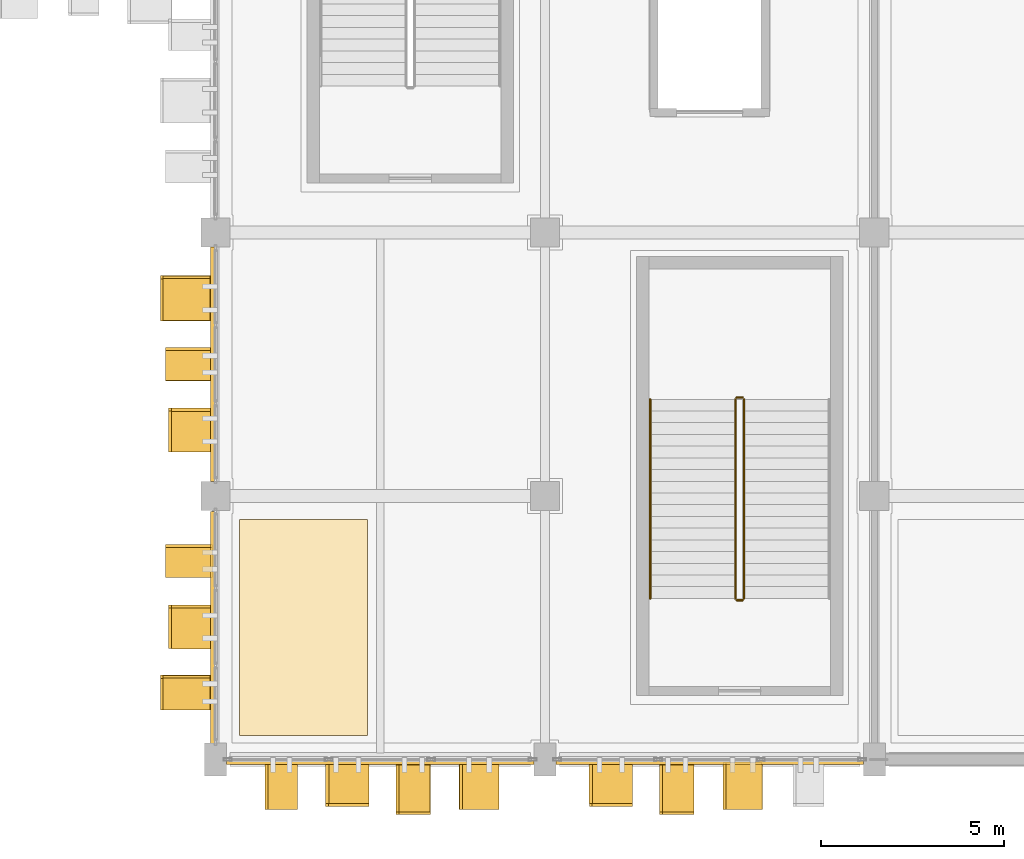
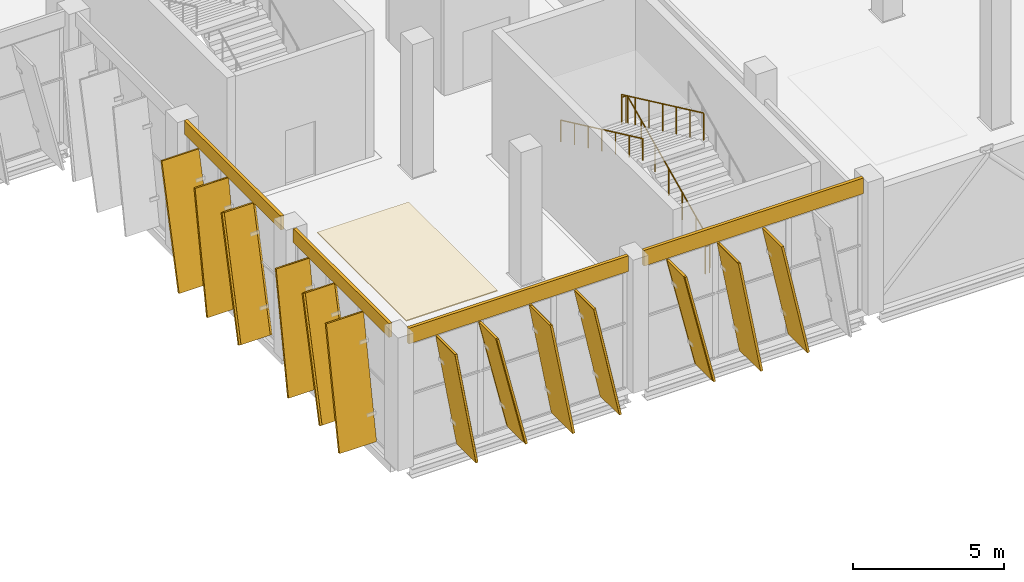
# One storey, part 114 of 137: 18 coverings, 13 shading devices, 5 railings.
"""IFC4 building model written with IfcOpenShell, lengths in metres."""

from ifc_helpers import new_model, si_unit, direction, frame, origin, origin_2d, place, context, subcontext, project, spatial, polyline, rectangle, circle, outline, extrude, material, layer, layer_set, material_profile, profile_set, type_object, element, save


model = new_model("IFC4")

# Units and contexts
model_context = context("Model", 3, precision=1e-05, world=origin(), true_north=direction((0.0, 1.0)))
body_context = subcontext(model_context, "Body", "Model", "MODEL_VIEW")
ifc_project = project(units=[si_unit("LENGTHUNIT", "METRE"), si_unit("AREAUNIT", "SQUARE_METRE"), si_unit("VOLUMEUNIT", "CUBIC_METRE"), si_unit("PLANEANGLEUNIT", "RADIAN"), si_unit("MASSUNIT", "GRAM", prefix="KILO")], contexts=[model_context])

# Site, building, storey
site_placement = place(None, origin())
site = spatial("IfcSite", under=ifc_project, at=site_placement, CompositionType="ELEMENT")
building_placement = place(site_placement, origin())
building = spatial("IfcBuilding", under=site, at=building_placement, Name="Celestram Park Convention Centre", CompositionType="ELEMENT")
storey_placement = place(building_placement, origin())
storey = spatial("IfcBuildingStorey", under=building, at=storey_placement, Name="L00", CompositionType="ELEMENT", Elevation=0.0)

# Coverings
ifc_material_1 = material(Name="Anodised Bronze Aluminium Spandrel Cladding", Category="aluminium")
ifc_layer_1 = layer(ifc_material_1, 0.050048828125)
ifc_layer_set_1 = layer_set([ifc_layer_1], Name="Anodised Bronze Aluminium Spandrel Cladding")
covering_type_1 = type_object("IfcCoveringType", Name="ARC-COV-CLD060", PredefinedType="CLADDING", material=ifc_layer_set_1)
for number, where, z_axis, x_axis, name in (
    (1, (157.5, -0.080078125, 4.76708984375), (0.0, 0.0, 1.0), (-1.0, 0.0, 0.0), "Bronze spandrel cladding CL-L00-031"),
    (2, (148.5, -0.080078125, 4.76708984375), (0.0, 0.0, 1.0), (-1.0, 0.0, 0.0), "Bronze spandrel cladding CL-L00-032"),
):
    element("IfcCovering", number, at=place(storey_placement, frame(where, z_axis=z_axis, x_axis=x_axis)), inside=storey, type_object=covering_type_1, Name=name, PredefinedType="CLADDING", context=body_context, shape_type="SweptSolid", body=[
        extrude(rectangle(XDim=8.404052734375, YDim=0.1201171875, at=origin_2d()), origin(), (0.0, 0.0, 1.0), 0.633056640625),
    ])
covering_1_placement = place(storey_placement, frame((143.919921875, 3.60009765625, 4.840087890625), z_axis=(0.0, 0.0, 1.0), x_axis=(0.0, 1.0, 0.0)))
element("IfcCovering", 3, at=covering_1_placement, inside=storey, type_object=covering_type_1, Name="Bronze spandrel cladding CL-L00-033", PredefinedType="CLADDING", context=body_context, shape_type="SweptSolid", body=[
    extrude(rectangle(XDim=6.35400390625, YDim=0.1201171875, at=origin_2d()), origin(), (0.0, 0.0, 1.0), 0.56005859375),
])
covering_2_placement = place(storey_placement, frame((143.919921875, 10.800048828125, 4.840087890625), z_axis=(0.0, 0.0, 1.0), x_axis=(0.0, 1.0, 0.0)))
element("IfcCovering", 4, at=covering_2_placement, inside=storey, type_object=covering_type_1, Name="Bronze spandrel cladding CL-L00-034", PredefinedType="CLADDING", context=body_context, shape_type="SweptSolid", body=[
    extrude(rectangle(XDim=6.404052734375, YDim=0.1201171875, at=origin_2d()), origin(), (0.0, 0.0, 1.0), 0.56005859375),
])
ifc_material_2 = material(Name="Perforated Acoustic Mineral-Fibre Baffle Ceiling", Category="gypsum")
ifc_layer_2 = layer(ifc_material_2, 0.0400390625)
ifc_layer_set_2 = layer_set([ifc_layer_2], Name="Perforated Acoustic Mineral-Fibre Baffle Ceiling")
covering_type_2 = type_object("IfcCoveringType", Name="ARC-COV-CLG040", PredefinedType="CEILING", material=ifc_layer_set_2)
covering_3_placement = place(storey_placement, frame((0.0, 0.0, 5.080078125)))
element("IfcCovering", 5, at=covering_3_placement, inside=storey, type_object=covering_type_2, Name="South Registration Gallery acoustic baffle ceiling", PredefinedType="CEILING", context=body_context, shape_type="SweptSolid", body=[
    extrude(outline(polyline([(144.64990234375, 0.64990234375), (148.14990234375, 0.64990234375), (148.14990234375, 6.550048828125), (144.64990234375, 6.550048828125), (144.64990234375, 0.64990234375)])), origin(), (0.0, 0.0, 1.0), 0.0400390625),
])
ifc_material_3 = material(Name="Timber-Toned Anodised Aluminium Alloy 6063-T6", Category="wood")
ifc_material_profile_1 = material_profile(ifc_material_3, rectangle(XDim=1.1201171875, YDim=0.090087890625, at=origin_2d()), Name="REED1120X90")
ifc_profile_set_1 = profile_set([ifc_material_profile_1], Name="Timber-Toned Anodised Aluminium Alloy 6063-T6")
covering_type_3 = type_object("IfcCoveringType", Name="ARC-COV-FIN1120", PredefinedType="CLADDING", material=ifc_profile_set_1)
for number, where, z_axis, x_axis, name in (
    (6, (155.348876953125, -0.639892578125, 0.069580078125), (-0.231727367965, 0.0, 0.972780770233), (0.0, -1.0, 0.0), "Leaning timber-toned reed fin RFN-L00-0106"),
    (7, (148.14892578125, -0.639892578125, 0.069580078125), (-0.231776140261, 0.0, 0.97276915083), (0.0, -1.0, 0.0), "Leaning timber-toned reed fin RFN-L00-0109"),
):
    element("IfcCovering", number, at=place(storey_placement, frame(where, z_axis=z_axis, x_axis=x_axis)), inside=storey, type_object=covering_type_3, Name=name, PredefinedType="CLADDING", context=body_context, shape_type="SweptSolid", body=[
        extrude(rectangle(XDim=1.1201171875, YDim=0.090087890625, at=origin_2d()), origin(), (0.0, 0.0, 1.0), 4.73681640625),
    ])
for number, where, z_axis, x_axis, name in (
    (8, (143.360107421875, 3.067626953125, 0.070556640625), (0.0, 0.231760054376, 0.972772983381), (-1.0, 0.0, 0.0), "Leaning timber-toned reed fin RFN-L00-0112"),
    (9, (143.360107421875, 8.442626953125, 0.070556640625), (0.0, 0.231760054376, 0.972772983381), (-1.0, 0.0, 0.0), "Leaning timber-toned reed fin RFN-L00-0114"),
):
    element("IfcCovering", number, at=place(storey_placement, frame(where, z_axis=z_axis, x_axis=x_axis)), inside=storey, type_object=covering_type_3, Name=name, PredefinedType="CLADDING", context=body_context, shape_type="SweptSolid", body=[
        extrude(rectangle(XDim=1.1201171875, YDim=0.090087890625, at=origin_2d()), origin(), (0.0, 0.0, 1.0), 4.809814453125),
    ])
ifc_material_profile_2 = material_profile(ifc_material_3, rectangle(XDim=1.280029296875, YDim=0.090087890625, at=origin_2d()), Name="REED1280X90")
ifc_profile_set_2 = profile_set([ifc_material_profile_2], Name="Timber-Toned Anodised Aluminium Alloy 6063-T6")
covering_type_4 = type_object("IfcCoveringType", Name="ARC-COV-FIN1280", PredefinedType="CLADDING", material=ifc_profile_set_2)
for number, where, z_axis, x_axis, name in (
    (10, (158.896484375, -0.719970703125, 0.0576171875), (-0.209606521321, 0.0, 0.977785818173), (0.0, -1.0, 0.0), "Leaning timber-toned reed fin RFN-L00-0104"),
    (11, (151.696533203125, -0.719970703125, 0.0576171875), (-0.209606521321, 0.0, 0.977785818173), (0.0, -1.0, 0.0), "Leaning timber-toned reed fin RFN-L00-0107"),
    (12, (146.203125, -0.719970703125, 0.03955078125), (-0.170179599003, 0.0, 0.985413062671), (0.0, -1.0, 0.0), "Leaning timber-toned reed fin RFN-L00-0110"),
):
    element("IfcCovering", number, at=place(storey_placement, frame(where, z_axis=z_axis, x_axis=x_axis)), inside=storey, type_object=covering_type_4, Name=name, PredefinedType="CLADDING", context=body_context, shape_type="SweptSolid", body=[
        extrude(rectangle(XDim=1.280029296875, YDim=0.090087890625, at=origin_2d()), origin(), (0.0, 0.0, 1.0), 4.737060546875),
    ])
for number, where, z_axis, x_axis, name in (
    (13, (143.280029296875, 5.015625, 0.0400390625), (0.0, 0.170240052999, 0.985402620432), (-1.0, 0.0, 0.0), "Leaning timber-toned reed fin RFN-L00-0113"),
    (14, (143.280029296875, 10.390625, 0.0400390625), (0.0, 0.170240052999, 0.985402620432), (-1.0, 0.0, 0.0), "Leaning timber-toned reed fin RFN-L00-0115"),
):
    element("IfcCovering", number, at=place(storey_placement, frame(where, z_axis=z_axis, x_axis=x_axis)), inside=storey, type_object=covering_type_4, Name=name, PredefinedType="CLADDING", context=body_context, shape_type="SweptSolid", body=[
        extrude(rectangle(XDim=1.280029296875, YDim=0.090087890625, at=origin_2d()), origin(), (0.0, 0.0, 1.0), 4.81005859375),
    ])
ifc_material_profile_3 = material_profile(ifc_material_3, rectangle(XDim=1.419921875, YDim=0.090087890625, at=origin_2d()), Name="REED1420X90")
ifc_profile_set_3 = profile_set([ifc_material_profile_3], Name="Timber-Toned Anodised Aluminium Alloy 6063-T6")
covering_type_5 = type_object("IfcCoveringType", Name="ARC-COV-FIN1420", PredefinedType="CLADDING", material=ifc_profile_set_3)
for number, where, z_axis, x_axis, name in (
    (15, (157.027587890625, -0.7900390625, 0.0439453125), (-0.180540613043, 0.0, 0.983567530494), (0.0, -1.0, 0.0), "Leaning timber-toned reed fin RFN-L00-0105"),
    (16, (149.82763671875, -0.7900390625, 0.0439453125), (-0.180540613043, 0.0, 0.983567530494), (0.0, -1.0, 0.0), "Leaning timber-toned reed fin RFN-L00-0108"),
):
    element("IfcCovering", number, at=place(storey_placement, frame(where, z_axis=z_axis, x_axis=x_axis)), inside=storey, type_object=covering_type_5, Name=name, PredefinedType="CLADDING", context=body_context, shape_type="SweptSolid", body=[
        extrude(rectangle(XDim=1.419921875, YDim=0.090087890625, at=origin_2d()), origin(), (0.0, 0.0, 1.0), 4.737060546875),
    ])
for number, where, z_axis, x_axis, name in (
    (17, (143.2099609375, 1.390869140625, 0.04443359375), (0.0, 0.180493192635, 0.983576233656), (-1.0, 0.0, 0.0), "Leaning timber-toned reed fin RFN-L00-0111"),
    (18, (143.2099609375, 12.0263671875, 0.074462890625), (0.0, 0.238508778742, 0.971140341281), (-1.0, 0.0, 0.0), "Leaning timber-toned reed fin RFN-L00-0116"),
):
    element("IfcCovering", number, at=place(storey_placement, frame(where, z_axis=z_axis, x_axis=x_axis)), inside=storey, type_object=covering_type_5, Name=name, PredefinedType="CLADDING", context=body_context, shape_type="SweptSolid", body=[
        extrude(rectangle(XDim=1.419921875, YDim=0.090087890625, at=origin_2d()), origin(), (0.0, 0.0, 1.0), 4.81005859375),
    ])

# Shading devices
ifc_material_4 = material(Name="Anodised Bronze Aluminium Alloy 6063-T6", Category="aluminium")
ifc_material_profile_4 = material_profile(ifc_material_4, rectangle(XDim=1.280029296875, YDim=0.080078125, at=origin_2d()), Name="FIN1280X80")
ifc_profile_set_4 = profile_set([ifc_material_profile_4], Name="Anodised Bronze Aluminium Alloy 6063-T6")
shading_device_type = type_object("IfcShadingDeviceType", Name="ARC-FIN-BZ1280", PredefinedType="USERDEFINED", material=ifc_profile_set_4)
for number, where, z_axis, x_axis, name in (
    (19, (158.896484375, -0.719970703125, 0.0576171875), (-0.209606521321, 0.0, 0.977785818173), (0.0, -1.0, 0.0), "Expressive solar fin FN-L00-0104"),
    (20, (157.027587890625, -0.7900390625, 0.0439453125), (-0.180540613043, 0.0, 0.983567530494), (0.0, -1.0, 0.0), "Expressive solar fin FN-L00-0105"),
):
    element("IfcShadingDevice", number, at=place(storey_placement, frame(where, z_axis=z_axis, x_axis=x_axis)), inside=storey, type_object=shading_device_type, Name=name, ObjectType="SOLAR_FIN", PredefinedType="USERDEFINED", context=body_context, shape_type="SweptSolid", body=[
        extrude(rectangle(XDim=1.280029296875, YDim=0.080078125, at=origin_2d()), origin(), (0.0, 0.0, 1.0), 4.737060546875),
    ])
shading_device_1_placement = place(storey_placement, frame((155.348876953125, -0.639892578125, 0.069580078125), z_axis=(-0.231727367965, 0.0, 0.972780770233), x_axis=(0.0, -1.0, 0.0)))
element("IfcShadingDevice", 21, at=shading_device_1_placement, inside=storey, type_object=shading_device_type, Name="Expressive solar fin FN-L00-0106", ObjectType="SOLAR_FIN", PredefinedType="USERDEFINED", context=body_context, shape_type="SweptSolid", body=[
    extrude(rectangle(XDim=1.280029296875, YDim=0.080078125, at=origin_2d()), origin(), (0.0, 0.0, 1.0), 4.73681640625),
])
for number, where, z_axis, x_axis, name in (
    (22, (151.696533203125, -0.719970703125, 0.0576171875), (-0.209606521321, 0.0, 0.977785818173), (0.0, -1.0, 0.0), "Expressive solar fin FN-L00-0107"),
    (23, (149.82763671875, -0.7900390625, 0.0439453125), (-0.180540613043, 0.0, 0.983567530494), (0.0, -1.0, 0.0), "Expressive solar fin FN-L00-0108"),
):
    element("IfcShadingDevice", number, at=place(storey_placement, frame(where, z_axis=z_axis, x_axis=x_axis)), inside=storey, type_object=shading_device_type, Name=name, ObjectType="SOLAR_FIN", PredefinedType="USERDEFINED", context=body_context, shape_type="SweptSolid", body=[
        extrude(rectangle(XDim=1.280029296875, YDim=0.080078125, at=origin_2d()), origin(), (0.0, 0.0, 1.0), 4.737060546875),
    ])
shading_device_2_placement = place(storey_placement, frame((148.14892578125, -0.639892578125, 0.069580078125), z_axis=(-0.231776140261, 0.0, 0.97276915083), x_axis=(0.0, -1.0, 0.0)))
element("IfcShadingDevice", 24, at=shading_device_2_placement, inside=storey, type_object=shading_device_type, Name="Expressive solar fin FN-L00-0109", ObjectType="SOLAR_FIN", PredefinedType="USERDEFINED", context=body_context, shape_type="SweptSolid", body=[
    extrude(rectangle(XDim=1.280029296875, YDim=0.080078125, at=origin_2d()), origin(), (0.0, 0.0, 1.0), 4.73681640625),
])
shading_device_3_placement = place(storey_placement, frame((146.203125, -0.719970703125, 0.03955078125), z_axis=(-0.170179599003, 0.0, 0.985413062671), x_axis=(0.0, -1.0, 0.0)))
element("IfcShadingDevice", 25, at=shading_device_3_placement, inside=storey, type_object=shading_device_type, Name="Expressive solar fin FN-L00-0110", ObjectType="SOLAR_FIN", PredefinedType="USERDEFINED", context=body_context, shape_type="SweptSolid", body=[
    extrude(rectangle(XDim=1.280029296875, YDim=0.080078125, at=origin_2d()), origin(), (0.0, 0.0, 1.0), 4.737060546875),
])
shading_device_4_placement = place(storey_placement, frame((143.2099609375, 1.390869140625, 0.04443359375), z_axis=(0.0, 0.180493192635, 0.983576233656), x_axis=(-1.0, 0.0, 0.0)))
element("IfcShadingDevice", 26, at=shading_device_4_placement, inside=storey, type_object=shading_device_type, Name="Expressive solar fin FN-L00-0111", ObjectType="SOLAR_FIN", PredefinedType="USERDEFINED", context=body_context, shape_type="SweptSolid", body=[
    extrude(rectangle(XDim=1.280029296875, YDim=0.080078125, at=origin_2d()), origin(), (0.0, 0.0, 1.0), 4.81005859375),
])
shading_device_5_placement = place(storey_placement, frame((143.360107421875, 3.067626953125, 0.070556640625), z_axis=(0.0, 0.231760054376, 0.972772983381), x_axis=(-1.0, 0.0, 0.0)))
element("IfcShadingDevice", 27, at=shading_device_5_placement, inside=storey, type_object=shading_device_type, Name="Expressive solar fin FN-L00-0112", ObjectType="SOLAR_FIN", PredefinedType="USERDEFINED", context=body_context, shape_type="SweptSolid", body=[
    extrude(rectangle(XDim=1.280029296875, YDim=0.080078125, at=origin_2d()), origin(), (0.0, 0.0, 1.0), 4.809814453125),
])
shading_device_6_placement = place(storey_placement, frame((143.280029296875, 5.015625, 0.0400390625), z_axis=(0.0, 0.170240052999, 0.985402620432), x_axis=(-1.0, 0.0, 0.0)))
element("IfcShadingDevice", 28, at=shading_device_6_placement, inside=storey, type_object=shading_device_type, Name="Expressive solar fin FN-L00-0113", ObjectType="SOLAR_FIN", PredefinedType="USERDEFINED", context=body_context, shape_type="SweptSolid", body=[
    extrude(rectangle(XDim=1.280029296875, YDim=0.080078125, at=origin_2d()), origin(), (0.0, 0.0, 1.0), 4.81005859375),
])
shading_device_7_placement = place(storey_placement, frame((143.360107421875, 8.442626953125, 0.070556640625), z_axis=(0.0, 0.231760054376, 0.972772983381), x_axis=(-1.0, 0.0, 0.0)))
element("IfcShadingDevice", 29, at=shading_device_7_placement, inside=storey, type_object=shading_device_type, Name="Expressive solar fin FN-L00-0114", ObjectType="SOLAR_FIN", PredefinedType="USERDEFINED", context=body_context, shape_type="SweptSolid", body=[
    extrude(rectangle(XDim=1.280029296875, YDim=0.080078125, at=origin_2d()), origin(), (0.0, 0.0, 1.0), 4.809814453125),
])
for number, where, z_axis, x_axis, name in (
    (30, (143.280029296875, 10.390625, 0.0400390625), (0.0, 0.170240052999, 0.985402620432), (-1.0, 0.0, 0.0), "Expressive solar fin FN-L00-0115"),
    (31, (143.2099609375, 12.0263671875, 0.074462890625), (0.0, 0.238508778742, 0.971140341281), (-1.0, 0.0, 0.0), "Expressive solar fin FN-L00-0116"),
):
    element("IfcShadingDevice", number, at=place(storey_placement, frame(where, z_axis=z_axis, x_axis=x_axis)), inside=storey, type_object=shading_device_type, Name=name, ObjectType="SOLAR_FIN", PredefinedType="USERDEFINED", context=body_context, shape_type="SweptSolid", body=[
        extrude(rectangle(XDim=1.280029296875, YDim=0.080078125, at=origin_2d()), origin(), (0.0, 0.0, 1.0), 4.81005859375),
    ])

# Railings
ifc_material_5 = material(Name="Stainless Steel AISI 316L & Laminated Glass", Category="steel")
ifc_layer_3 = layer(ifc_material_5, 0.06005859375)
ifc_layer_set_3 = layer_set([ifc_layer_3], Name="Stainless Steel AISI 316L & Laminated Glass")
railing_type_1 = type_object("IfcRailingType", Name="ARC-RL-GRD1120", PredefinedType="GUARDRAIL", material=ifc_layer_set_3)
railing_1_placement = place(storey_placement, frame((158.43603515625, 4.39990234375, 0.14990234375)))
element("IfcRailing", 32, at=railing_1_placement, inside=storey, type_object=railing_type_1, Name="L00 ST-21 stair guard 1", PredefinedType="GUARDRAIL", context=body_context, shape_type="SweptSolid", body=[
    extrude(circle(Radius=0.02392578125, at=origin_2d()), frame((0.0, 0.0, 1.09619140625), z_axis=(0.0, 0.905461375974, 0.424428670827), x_axis=(-1.0, 0.0, 0.0)), (0.0, 0.0, 1.0), 6.00830078125),
    extrude(circle(Radius=0.02099609375, at=origin_2d()), origin(), (0.0, 0.0, 1.0), 1.072021484375),
    extrude(circle(Radius=0.02099609375, at=origin_2d()), frame((0.0, 0.90673828125, 0.425048828125)), (0.0, 0.0, 1.0), 1.072021484375),
    extrude(circle(Radius=0.02099609375, at=origin_2d()), frame((0.0, 1.8134765625, 0.85009765625)), (0.0, 0.0, 1.0), 1.072021484375),
    extrude(circle(Radius=0.02099609375, at=origin_2d()), frame((0.0, 2.72021484375, 1.27490234375)), (0.0, 0.0, 1.0), 1.072021484375),
    extrude(circle(Radius=0.02099609375, at=origin_2d()), frame((0.0, 3.626708984375, 1.699951171875)), (0.0, 0.0, 1.0), 1.072021484375),
    extrude(circle(Radius=0.02099609375, at=origin_2d()), frame((0.0, 4.533447265625, 2.125)), (0.0, 0.0, 1.0), 1.072021484375),
    extrude(circle(Radius=0.02099609375, at=origin_2d()), frame((0.0, 5.440185546875, 2.550048828125)), (0.0, 0.0, 1.0), 1.072021484375),
])
railing_2_placement = place(storey_placement, frame((158.39990234375, 9.889892578125, 2.699951171875)))
element("IfcRailing", 33, at=railing_2_placement, inside=storey, type_object=railing_type_1, Name="L00 ST-21 stair guard 2", PredefinedType="GUARDRAIL", context=body_context, shape_type="SweptSolid", body=[
    extrude(circle(Radius=0.02392578125, at=origin_2d()), frame((0.0, 0.0, 1.09619140625), z_axis=(-1.0, 0.0, 0.0), x_axis=(0.0, -1.0, 0.0)), (0.0, 0.0, 1.0), 0.159912109375),
    extrude(circle(Radius=0.02099609375, at=origin_2d()), origin(), (0.0, 0.0, 1.0), 1.072021484375),
    extrude(circle(Radius=0.02099609375, at=origin_2d()), frame((-0.159912109375, 0.0, 0.0)), (0.0, 0.0, 1.0), 1.072021484375),
])
railing_3_placement = place(storey_placement, frame((158.2041015625, 9.840087890625, 2.85009765625)))
element("IfcRailing", 34, at=railing_3_placement, inside=storey, type_object=railing_type_1, Name="L00 ST-21 stair guard 3", PredefinedType="GUARDRAIL", context=body_context, shape_type="SweptSolid", body=[
    extrude(circle(Radius=0.02392578125, at=origin_2d()), frame((0.0, 0.0, 1.09619140625), z_axis=(0.0, -0.90547699167, 0.424395355248), x_axis=(1.0, 0.0, 0.0)), (0.0, 0.0, 1.0), 6.008056640625),
    extrude(circle(Radius=0.02099609375, at=origin_2d()), origin(), (0.0, 0.0, 1.0), 1.072021484375),
    extrude(circle(Radius=0.02099609375, at=origin_2d()), frame((0.0, -0.90673828125, 0.425048828125)), (0.0, 0.0, 1.0), 1.072021484375),
    extrude(circle(Radius=0.02099609375, at=origin_2d()), frame((0.0, -1.8134765625, 0.849853515625)), (0.0, 0.0, 1.0), 1.072021484375),
    extrude(circle(Radius=0.02099609375, at=origin_2d()), frame((0.0, -2.72021484375, 1.27490234375)), (0.0, 0.0, 1.0), 1.072021484375),
    extrude(circle(Radius=0.02099609375, at=origin_2d()), frame((0.0, -3.626708984375, 1.699951171875)), (0.0, 0.0, 1.0), 1.072021484375),
    extrude(circle(Radius=0.02099609375, at=origin_2d()), frame((0.0, -4.533447265625, 2.124755859375)), (0.0, 0.0, 1.0), 1.072021484375),
    extrude(circle(Radius=0.02099609375, at=origin_2d()), frame((0.0, -5.440185546875, 2.5498046875)), (0.0, 0.0, 1.0), 1.072021484375),
])
railing_4_placement = place(storey_placement, frame((158.39990234375, 4.35009765625, 0.0)))
element("IfcRailing", 35, at=railing_4_placement, inside=storey, type_object=railing_type_1, Name="L00 ST-21 stair guard 4", PredefinedType="GUARDRAIL", context=body_context, shape_type="SweptSolid", body=[
    extrude(circle(Radius=0.02392578125, at=origin_2d()), frame((0.0, 0.0, 1.09619140625), z_axis=(-1.0, 0.0, 0.0), x_axis=(0.0, -1.0, 0.0)), (0.0, 0.0, 1.0), 0.159912109375),
    extrude(circle(Radius=0.02099609375, at=origin_2d()), origin(), (0.0, 0.0, 1.0), 1.072021484375),
    extrude(circle(Radius=0.02099609375, at=origin_2d()), frame((-0.159912109375, 0.0, 0.0)), (0.0, 0.0, 1.0), 1.072021484375),
])
ifc_material_6 = material(Name="Brushed Stainless Steel AISI 304", Category="steel")
ifc_layer_4 = layer(ifc_material_6, 0.048095703125)
ifc_layer_set_4 = layer_set([ifc_layer_4], Name="Brushed Stainless Steel AISI 304")
railing_type_2 = type_object("IfcRailingType", Name="ARC-RL-HND915", PredefinedType="HANDRAIL", material=ifc_layer_set_4)
railing_5_placement = place(storey_placement, frame((155.8759765625, 9.840087890625, 2.85009765625)))
element("IfcRailing", 36, at=railing_5_placement, inside=storey, type_object=railing_type_2, Name="L00 ST-21 stair handrail 2", PredefinedType="HANDRAIL", context=body_context, shape_type="SweptSolid", body=[
    extrude(circle(Radius=0.02392578125, at=origin_2d()), frame((0.0, 0.0, 0.8759765625), z_axis=(0.0, -0.90547699167, 0.424395355248), x_axis=(1.0, 0.0, 0.0)), (0.0, 0.0, 1.0), 6.008056640625),
    extrude(circle(Radius=0.02099609375, at=origin_2d()), origin(), (0.0, 0.0, 1.0), 0.851806640625),
    extrude(circle(Radius=0.02099609375, at=origin_2d()), frame((0.0, -0.90673828125, 0.425048828125)), (0.0, 0.0, 1.0), 0.851806640625),
    extrude(circle(Radius=0.02099609375, at=origin_2d()), frame((0.0, -1.8134765625, 0.849853515625)), (0.0, 0.0, 1.0), 0.851806640625),
    extrude(circle(Radius=0.02099609375, at=origin_2d()), frame((0.0, -2.72021484375, 1.27490234375)), (0.0, 0.0, 1.0), 0.851806640625),
    extrude(circle(Radius=0.02099609375, at=origin_2d()), frame((0.0, -3.626708984375, 1.699951171875)), (0.0, 0.0, 1.0), 0.851806640625),
    extrude(circle(Radius=0.02099609375, at=origin_2d()), frame((0.0, -4.533447265625, 2.124755859375)), (0.0, 0.0, 1.0), 0.851806640625),
    extrude(circle(Radius=0.02099609375, at=origin_2d()), frame((0.0, -5.440185546875, 2.5498046875)), (0.0, 0.0, 1.0), 0.851806640625),
])

save(model, "model.ifc")
